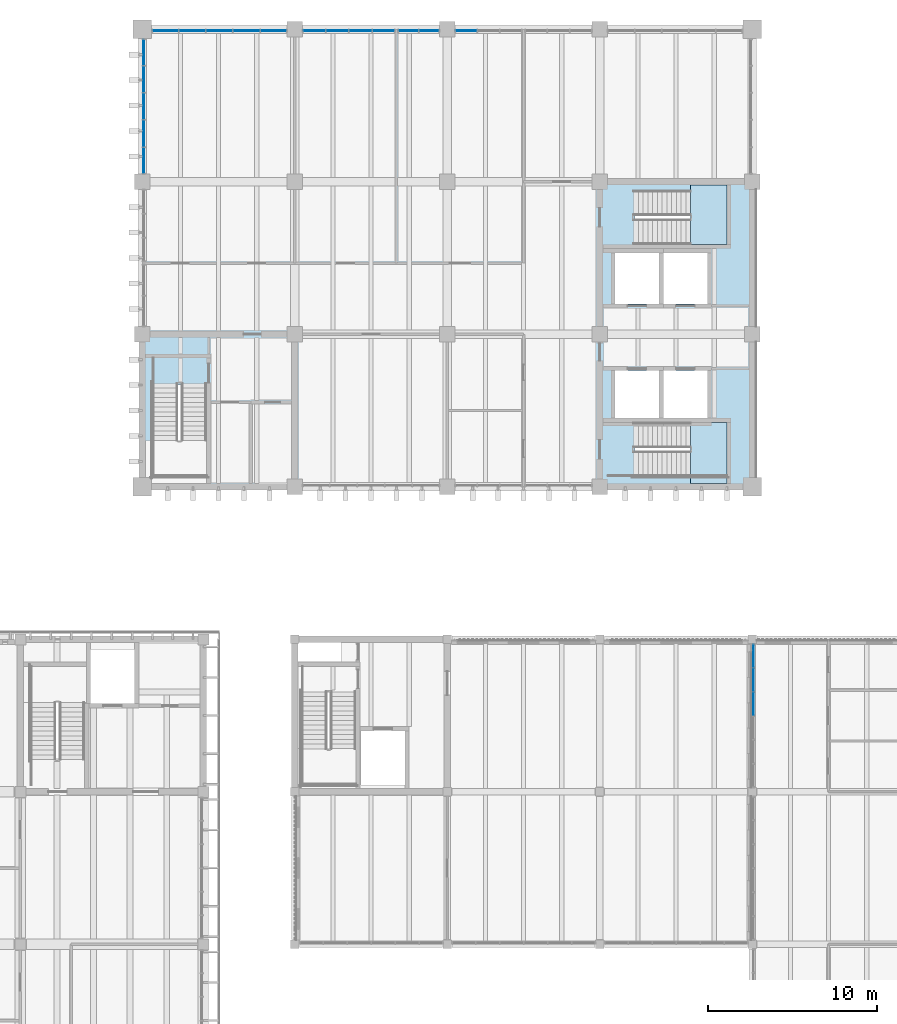
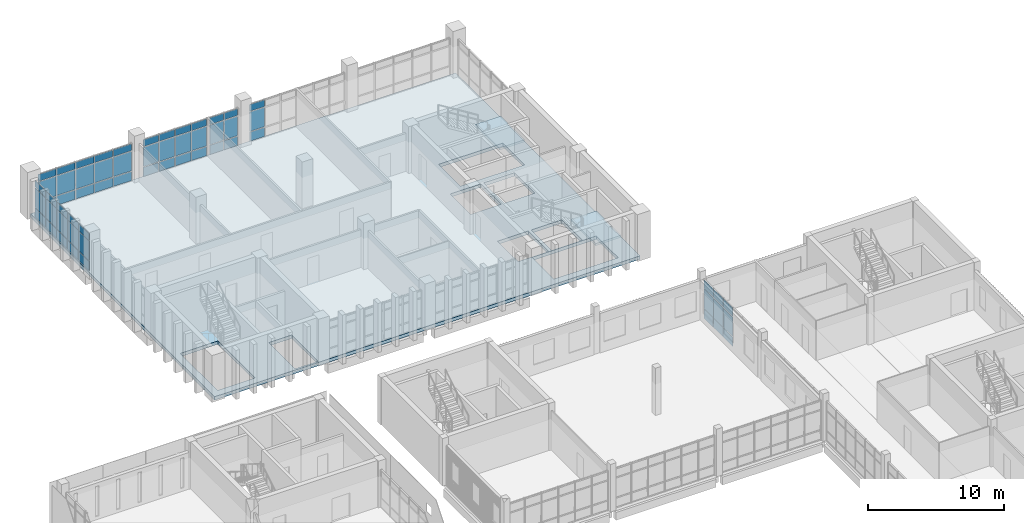
# One storey, part 45 of 92: 60 plates, 3 slabs, 8 elements without a shape of their own.
"""IFC4 building model written with IfcOpenShell, lengths in metres."""

from ifc_helpers import new_model, si_unit, direction, frame, origin, origin_2d, place, context, subcontext, project, spatial, polyline, rectangle, outline, extrude, material, layer, layer_set, type_object, element, aggregate, save


model = new_model("IFC4")

# Units and contexts
model_context = context("Model", 3, precision=1e-05, world=origin(), true_north=direction((0.0, 1.0)))
body_context = subcontext(model_context, "Body", "Model", "MODEL_VIEW")
ifc_project = project(units=[si_unit("LENGTHUNIT", "METRE"), si_unit("AREAUNIT", "SQUARE_METRE"), si_unit("VOLUMEUNIT", "CUBIC_METRE"), si_unit("PLANEANGLEUNIT", "RADIAN"), si_unit("MASSUNIT", "GRAM", prefix="KILO")], contexts=[model_context])

# Site, building, storey
site_placement = place(None, origin())
site = spatial("IfcSite", under=ifc_project, at=site_placement, CompositionType="ELEMENT")
building_placement = place(site_placement, origin())
building = spatial("IfcBuilding", under=site, at=building_placement, Name="Merrow Basin Faculty of Sciences", CompositionType="ELEMENT")
storey_placement = place(building_placement, frame((0.0, 0.0, 4.5)))
storey = spatial("IfcBuildingStorey", under=building, at=storey_placement, Name="L01", CompositionType="ELEMENT", Elevation=4.5)

# Slab
ifc_material_1 = material(Name="Concrete C40/50", Category="concrete")
ifc_layer_1 = layer(ifc_material_1, 0.300048828125)
ifc_layer_set_1 = layer_set([ifc_layer_1], Name="Floor slab 300 Concrete C40/50")
slab_type_1 = type_object("IfcSlabType", Name="Floor slab 300 Concrete C40/50", PredefinedType="FLOOR", material=ifc_layer_set_1)
slab_1_placement = place(storey_placement, frame((0.0, 0.0, -0.300048828125)))
element("IfcSlab", 1, at=slab_1_placement, inside=storey, type_object=slab_type_1, Name="SL11 floor L01 001", PredefinedType="FLOOR", context=body_context, shape_type="SweptSolid", body=[
    extrude(outline(polyline([(54.0, 169.0), (54.0, 142.0), (18.0, 142.0), (18.0, 169.0), (54.0, 169.0)]), holes=[polyline([(52.5, 142.60009765625), (52.5, 145.800048828125), (47.050048828125, 145.800048828125), (47.050048828125, 142.60009765625), (52.5, 142.60009765625)]), polyline([(52.5, 156.300048828125), (52.5, 159.5), (47.050048828125, 159.5), (47.050048828125, 156.300048828125), (52.5, 156.300048828125)]), polyline([(51.35009765625, 145.85009765625), (51.35009765625, 148.85009765625), (48.75, 148.85009765625), (48.75, 145.85009765625), (51.35009765625, 145.85009765625)]), polyline([(51.35009765625, 152.800048828125), (51.35009765625, 155.800048828125), (48.75, 155.800048828125), (48.75, 152.800048828125), (51.35009765625, 152.800048828125)]), polyline([(48.5, 145.85009765625), (48.5, 148.85009765625), (45.89990234375, 148.85009765625), (45.89990234375, 145.85009765625), (48.5, 145.85009765625)]), polyline([(48.5, 152.800048828125), (48.5, 155.800048828125), (45.89990234375, 155.800048828125), (45.89990234375, 152.800048828125), (48.5, 152.800048828125)]), polyline([(26.85009765625, 142.14990234375), (26.85009765625, 146.0), (24.90087890625, 146.0), (24.90087890625, 142.14990234375), (26.85009765625, 142.14990234375)]), polyline([(21.800048828125, 142.60009765625), (21.800048828125, 148.050048828125), (18.60009765625, 148.050048828125), (18.60009765625, 142.60009765625), (21.800048828125, 142.60009765625)])]), origin(), (0.0, 0.0, 1.0), 0.300048828125),
])

# Curtain wall, plates
ifc_material_2 = material(Name="Aluminium alloy 6063", Category="aluminium")
curtain_wall_type_1 = type_object("IfcCurtainWallType", Name="Court curtain wall 140", PredefinedType="NOTDEFINED", material=ifc_material_2)
curtain_wall_1_placement = place(storey_placement, origin())
curtain_wall_1 = element("IfcCurtainWall", 2, at=curtain_wall_1_placement, inside=storey, type_object=curtain_wall_type_1, Name="Court curtain wall L01 8", PredefinedType="NOTDEFINED")
ifc_material_3 = material(Name="Insulated aluminium spandrel panel", Category="aluminium")
ifc_layer_2 = layer(ifc_material_3, 0.052001953125)
ifc_layer_set_2 = layer_set([ifc_layer_2], Name="Insulated spandrel panel 52")
plate_type_1 = type_object("IfcPlateType", Name="Insulated spandrel panel 52", PredefinedType="CURTAIN_PANEL", material=ifc_layer_set_2)
plate_1_placement = place(storey_placement, frame((54.070068359375, 129.208251953125, 0.06005859375), z_axis=(0.0, 0.0, 1.0), x_axis=(0.0, 1.0, 0.0)))
plate_1 = element("IfcPlate", 3, at=plate_1_placement, type_object=plate_type_1, Name="CW8 panel 4.1", PredefinedType="CURTAIN_PANEL", context=body_context, shape_type="SweptSolid", body=[
    extrude(rectangle(XDim=1.356689453125, YDim=0.052001953125, at=origin_2d()), origin(), (0.0, 0.0, 1.0), 0.81005859375),
])
plate_2_placement = place(storey_placement, frame((54.070068359375, 130.625, 0.06005859375), z_axis=(0.0, 0.0, 1.0), x_axis=(0.0, 1.0, 0.0)))
plate_2 = element("IfcPlate", 4, at=plate_2_placement, type_object=plate_type_1, Name="CW8 panel 5.1", PredefinedType="CURTAIN_PANEL", context=body_context, shape_type="SweptSolid", body=[
    extrude(rectangle(XDim=1.356689453125, YDim=0.052001953125, at=origin_2d()), origin(), (0.0, 0.0, 1.0), 0.81005859375),
])
plate_3_placement = place(storey_placement, frame((54.070068359375, 132.026611328125, 0.06005859375), z_axis=(0.0, 0.0, 1.0), x_axis=(0.0, 1.0, 0.0)))
plate_3 = element("IfcPlate", 5, at=plate_3_placement, type_object=plate_type_1, Name="CW8 panel 6.1", PredefinedType="CURTAIN_PANEL", context=body_context, shape_type="SweptSolid", body=[
    extrude(rectangle(XDim=1.32666015625, YDim=0.052001953125, at=origin_2d()), origin(), (0.0, 0.0, 1.0), 0.81005859375),
])

ifc_material_4 = material(Name="Aluminium alloy 6063", Category="aluminium")
curtain_wall_type_2 = type_object("IfcCurtainWallType", Name="Unitised curtain wall 160", PredefinedType="NOTDEFINED", material=ifc_material_4)
curtain_wall_2_placement = place(storey_placement, origin())
curtain_wall_2 = element("IfcCurtainWall", 6, at=curtain_wall_2_placement, inside=storey, type_object=curtain_wall_type_2, Name="W curtain wall L01 3", PredefinedType="NOTDEFINED")
plate_4_placement = place(storey_placement, frame((18.080078125, 161.264892578125, 0.06005859375), z_axis=(0.0, 0.0, 1.0), x_axis=(0.0, 1.0, 0.0)))
plate_4 = element("IfcPlate", 7, at=plate_4_placement, type_object=plate_type_1, Name="CW3 panel 1.1", PredefinedType="CURTAIN_PANEL", context=body_context, shape_type="SweptSolid", body=[
    extrude(rectangle(XDim=1.510009765625, YDim=0.052001953125, at=origin_2d()), origin(), (0.0, 0.0, 1.0), 0.81005859375),
])
plate_5_placement = place(storey_placement, frame((18.080078125, 162.85009765625, 0.06005859375), z_axis=(0.0, 0.0, 1.0), x_axis=(0.0, 1.0, 0.0)))
plate_5 = element("IfcPlate", 8, at=plate_5_placement, type_object=plate_type_1, Name="CW3 panel 2.1", PredefinedType="CURTAIN_PANEL", context=body_context, shape_type="SweptSolid", body=[
    extrude(rectangle(XDim=1.5400390625, YDim=0.052001953125, at=origin_2d()), origin(), (0.0, 0.0, 1.0), 0.81005859375),
])
plate_6_placement = place(storey_placement, frame((18.080078125, 164.449951171875, 0.06005859375), z_axis=(0.0, 0.0, 1.0), x_axis=(0.0, 1.0, 0.0)))
plate_6 = element("IfcPlate", 9, at=plate_6_placement, type_object=plate_type_1, Name="CW3 panel 3.1", PredefinedType="CURTAIN_PANEL", context=body_context, shape_type="SweptSolid", body=[
    extrude(rectangle(XDim=1.5400390625, YDim=0.052001953125, at=origin_2d()), origin(), (0.0, 0.0, 1.0), 0.81005859375),
])
plate_7_placement = place(storey_placement, frame((18.080078125, 166.050048828125, 0.06005859375), z_axis=(0.0, 0.0, 1.0), x_axis=(0.0, 1.0, 0.0)))
plate_7 = element("IfcPlate", 10, at=plate_7_placement, type_object=plate_type_1, Name="CW3 panel 4.1", PredefinedType="CURTAIN_PANEL", context=body_context, shape_type="SweptSolid", body=[
    extrude(rectangle(XDim=1.5400390625, YDim=0.052001953125, at=origin_2d()), origin(), (0.0, 0.0, 1.0), 0.81005859375),
])
plate_8_placement = place(storey_placement, frame((18.080078125, 167.635009765625, 0.06005859375), z_axis=(0.0, 0.0, 1.0), x_axis=(0.0, 1.0, 0.0)))
plate_8 = element("IfcPlate", 11, at=plate_8_placement, type_object=plate_type_1, Name="CW3 panel 5.1", PredefinedType="CURTAIN_PANEL", context=body_context, shape_type="SweptSolid", body=[
    extrude(rectangle(XDim=1.510009765625, YDim=0.052001953125, at=origin_2d()), origin(), (0.0, 0.0, 1.0), 0.81005859375),
])

curtain_wall_3_placement = place(storey_placement, origin())
curtain_wall_3 = element("IfcCurtainWall", 12, at=curtain_wall_3_placement, inside=storey, type_object=curtain_wall_type_2, Name="N curtain wall L01 1", PredefinedType="NOTDEFINED")
plate_9_placement = place(storey_placement, frame((19.364990234375, 168.919921875, 0.06005859375), z_axis=(0.0, 0.0, 1.0), x_axis=(1.0, 0.0, 0.0)))
plate_9 = element("IfcPlate", 13, at=plate_9_placement, type_object=plate_type_1, Name="CW3 panel 1.1", PredefinedType="CURTAIN_PANEL", context=body_context, shape_type="SweptSolid", body=[
    extrude(rectangle(XDim=1.510009765625, YDim=0.052001953125, at=origin_2d()), origin(), (0.0, 0.0, 1.0), 0.81005859375),
])
plate_10_placement = place(storey_placement, frame((20.949951171875, 168.919921875, 0.06005859375), z_axis=(0.0, 0.0, 1.0), x_axis=(1.0, 0.0, 0.0)))
plate_10 = element("IfcPlate", 14, at=plate_10_placement, type_object=plate_type_1, Name="CW3 panel 2.1", PredefinedType="CURTAIN_PANEL", context=body_context, shape_type="SweptSolid", body=[
    extrude(rectangle(XDim=1.5400390625, YDim=0.052001953125, at=origin_2d()), origin(), (0.0, 0.0, 1.0), 0.81005859375),
])
plate_11_placement = place(storey_placement, frame((22.550048828125, 168.919921875, 0.06005859375), z_axis=(0.0, 0.0, 1.0), x_axis=(1.0, 0.0, 0.0)))
plate_11 = element("IfcPlate", 15, at=plate_11_placement, type_object=plate_type_1, Name="CW3 panel 3.1", PredefinedType="CURTAIN_PANEL", context=body_context, shape_type="SweptSolid", body=[
    extrude(rectangle(XDim=1.5400390625, YDim=0.052001953125, at=origin_2d()), origin(), (0.0, 0.0, 1.0), 0.81005859375),
])
plate_12_placement = place(storey_placement, frame((24.14990234375, 168.919921875, 0.06005859375), z_axis=(0.0, 0.0, 1.0), x_axis=(1.0, 0.0, 0.0)))
plate_12 = element("IfcPlate", 16, at=plate_12_placement, type_object=plate_type_1, Name="CW3 panel 4.1", PredefinedType="CURTAIN_PANEL", context=body_context, shape_type="SweptSolid", body=[
    extrude(rectangle(XDim=1.5400390625, YDim=0.052001953125, at=origin_2d()), origin(), (0.0, 0.0, 1.0), 0.81005859375),
])
plate_13_placement = place(storey_placement, frame((25.735107421875, 168.919921875, 0.06005859375), z_axis=(0.0, 0.0, 1.0), x_axis=(1.0, 0.0, 0.0)))
plate_13 = element("IfcPlate", 17, at=plate_13_placement, type_object=plate_type_1, Name="CW3 panel 5.1", PredefinedType="CURTAIN_PANEL", context=body_context, shape_type="SweptSolid", body=[
    extrude(rectangle(XDim=1.510009765625, YDim=0.052001953125, at=origin_2d()), origin(), (0.0, 0.0, 1.0), 0.81005859375),
])

curtain_wall_4_placement = place(storey_placement, origin())
curtain_wall_4 = element("IfcCurtainWall", 18, at=curtain_wall_4_placement, inside=storey, type_object=curtain_wall_type_2, Name="N curtain wall L01 2", PredefinedType="NOTDEFINED")
plate_14_placement = place(storey_placement, frame((28.1494140625, 168.919921875, 0.06005859375), z_axis=(0.0, 0.0, 1.0), x_axis=(1.0, 0.0, 0.0)))
plate_14 = element("IfcPlate", 19, at=plate_14_placement, type_object=plate_type_1, Name="CW3 panel 1.1", PredefinedType="CURTAIN_PANEL", context=body_context, shape_type="SweptSolid", body=[
    extrude(rectangle(XDim=1.27880859375, YDim=0.052001953125, at=origin_2d()), origin(), (0.0, 0.0, 1.0), 0.81005859375),
])
plate_15_placement = place(storey_placement, frame((29.503173828125, 168.919921875, 0.06005859375), z_axis=(0.0, 0.0, 1.0), x_axis=(1.0, 0.0, 0.0)))
plate_15 = element("IfcPlate", 20, at=plate_15_placement, type_object=plate_type_1, Name="CW3 panel 2.1", PredefinedType="CURTAIN_PANEL", context=body_context, shape_type="SweptSolid", body=[
    extrude(rectangle(XDim=1.308837890625, YDim=0.052001953125, at=origin_2d()), origin(), (0.0, 0.0, 1.0), 0.81005859375),
])
plate_16_placement = place(storey_placement, frame((30.871826171875, 168.919921875, 0.06005859375), z_axis=(0.0, 0.0, 1.0), x_axis=(1.0, 0.0, 0.0)))
plate_16 = element("IfcPlate", 21, at=plate_16_placement, type_object=plate_type_1, Name="CW3 panel 3.1", PredefinedType="CURTAIN_PANEL", context=body_context, shape_type="SweptSolid", body=[
    extrude(rectangle(XDim=1.308837890625, YDim=0.052001953125, at=origin_2d()), origin(), (0.0, 0.0, 1.0), 0.81005859375),
])
plate_17_placement = place(storey_placement, frame((32.2255859375, 168.919921875, 0.06005859375), z_axis=(0.0, 0.0, 1.0), x_axis=(1.0, 0.0, 0.0)))
plate_17 = element("IfcPlate", 22, at=plate_17_placement, type_object=plate_type_1, Name="CW3 panel 4.1", PredefinedType="CURTAIN_PANEL", context=body_context, shape_type="SweptSolid", body=[
    extrude(rectangle(XDim=1.27880859375, YDim=0.052001953125, at=origin_2d()), origin(), (0.0, 0.0, 1.0), 0.81005859375),
])

curtain_wall_5_placement = place(storey_placement, origin())
curtain_wall_5 = element("IfcCurtainWall", 23, at=curtain_wall_5_placement, inside=storey, type_object=curtain_wall_type_2, Name="N curtain wall L01 3", PredefinedType="NOTDEFINED")
plate_18_placement = place(storey_placement, frame((33.708740234375, 168.919921875, 0.06005859375), z_axis=(0.0, 0.0, 1.0), x_axis=(1.0, 0.0, 0.0)))
plate_18 = element("IfcPlate", 24, at=plate_18_placement, type_object=plate_type_1, Name="CW3 panel 1.1", PredefinedType="CURTAIN_PANEL", context=body_context, shape_type="SweptSolid", body=[
    extrude(rectangle(XDim=1.1474609375, YDim=0.052001953125, at=origin_2d()), origin(), (0.0, 0.0, 1.0), 0.81005859375),
])
plate_19_placement = place(storey_placement, frame((34.916259765625, 168.919921875, 0.06005859375), z_axis=(0.0, 0.0, 1.0), x_axis=(1.0, 0.0, 0.0)))
plate_19 = element("IfcPlate", 25, at=plate_19_placement, type_object=plate_type_1, Name="CW3 panel 2.1", PredefinedType="CURTAIN_PANEL", context=body_context, shape_type="SweptSolid", body=[
    extrude(rectangle(XDim=1.1474609375, YDim=0.052001953125, at=origin_2d()), origin(), (0.0, 0.0, 1.0), 0.81005859375),
])

# Curtain wall, plate
curtain_wall_6_placement = place(storey_placement, origin())
curtain_wall_6 = element("IfcCurtainWall", 26, at=curtain_wall_6_placement, inside=storey, type_object=curtain_wall_type_2, Name="N curtain wall L01 4", PredefinedType="NOTDEFINED")
plate_20_placement = place(storey_placement, frame((37.12744140625, 168.919921875, 0.06005859375), z_axis=(0.0, 0.0, 1.0), x_axis=(1.0, 0.0, 0.0)))
plate_20 = element("IfcPlate", 27, at=plate_20_placement, type_object=plate_type_1, Name="CW3 panel 1.1", PredefinedType="CURTAIN_PANEL", context=body_context, shape_type="SweptSolid", body=[
    extrude(rectangle(XDim=1.235107421875, YDim=0.052001953125, at=origin_2d()), origin(), (0.0, 0.0, 1.0), 0.81005859375),
])

# Plate
ifc_material_5 = material(Name="Low-E double glazing", Category="glass")
ifc_layer_3 = layer(ifc_material_5, 0.028076171875)
ifc_layer_set_3 = layer_set([ifc_layer_3], Name="Low-E double glazed panel 28")
plate_type_2 = type_object("IfcPlateType", Name="Low-E double glazed panel 28", PredefinedType="CURTAIN_PANEL", material=ifc_layer_set_3)
plate_21_placement = place(storey_placement, frame((54.070068359375, 129.208251953125, 0.93017578125), z_axis=(0.0, 0.0, 1.0), x_axis=(0.0, 1.0, 0.0)))
plate_21 = element("IfcPlate", 28, at=plate_21_placement, type_object=plate_type_2, Name="CW8 panel 4.2", PredefinedType="CURTAIN_PANEL", context=body_context, shape_type="SweptSolid", body=[
    extrude(rectangle(XDim=1.356689453125, YDim=0.028076171875, at=origin_2d()), origin(), (0.0, 0.0, 1.0), 1.739990234375),
])

plate_22_placement = place(storey_placement, frame((54.070068359375, 129.208251953125, 2.72998046875), z_axis=(0.0, 0.0, 1.0), x_axis=(0.0, 1.0, 0.0)))
plate_22 = element("IfcPlate", 29, at=plate_22_placement, type_object=plate_type_2, Name="CW8 panel 4.3", PredefinedType="CURTAIN_PANEL", context=body_context, shape_type="SweptSolid", body=[
    extrude(rectangle(XDim=1.356689453125, YDim=0.028076171875, at=origin_2d()), origin(), (0.0, 0.0, 1.0), 0.760009765625),
])

plate_23_placement = place(storey_placement, frame((54.070068359375, 130.625, 0.93017578125), z_axis=(0.0, 0.0, 1.0), x_axis=(0.0, 1.0, 0.0)))
plate_23 = element("IfcPlate", 30, at=plate_23_placement, type_object=plate_type_2, Name="CW8 panel 5.2", PredefinedType="CURTAIN_PANEL", context=body_context, shape_type="SweptSolid", body=[
    extrude(rectangle(XDim=1.356689453125, YDim=0.028076171875, at=origin_2d()), origin(), (0.0, 0.0, 1.0), 1.739990234375),
])

plate_24_placement = place(storey_placement, frame((54.070068359375, 130.625, 2.72998046875), z_axis=(0.0, 0.0, 1.0), x_axis=(0.0, 1.0, 0.0)))
plate_24 = element("IfcPlate", 31, at=plate_24_placement, type_object=plate_type_2, Name="CW8 panel 5.3", PredefinedType="CURTAIN_PANEL", context=body_context, shape_type="SweptSolid", body=[
    extrude(rectangle(XDim=1.356689453125, YDim=0.028076171875, at=origin_2d()), origin(), (0.0, 0.0, 1.0), 0.760009765625),
])

plate_25_placement = place(storey_placement, frame((54.070068359375, 132.026611328125, 0.93017578125), z_axis=(0.0, 0.0, 1.0), x_axis=(0.0, 1.0, 0.0)))
plate_25 = element("IfcPlate", 32, at=plate_25_placement, type_object=plate_type_2, Name="CW8 panel 6.2", PredefinedType="CURTAIN_PANEL", context=body_context, shape_type="SweptSolid", body=[
    extrude(rectangle(XDim=1.32666015625, YDim=0.028076171875, at=origin_2d()), origin(), (0.0, 0.0, 1.0), 1.739990234375),
])

plate_26_placement = place(storey_placement, frame((54.070068359375, 132.026611328125, 2.72998046875), z_axis=(0.0, 0.0, 1.0), x_axis=(0.0, 1.0, 0.0)))
plate_26 = element("IfcPlate", 33, at=plate_26_placement, type_object=plate_type_2, Name="CW8 panel 6.3", PredefinedType="CURTAIN_PANEL", context=body_context, shape_type="SweptSolid", body=[
    extrude(rectangle(XDim=1.32666015625, YDim=0.028076171875, at=origin_2d()), origin(), (0.0, 0.0, 1.0), 0.760009765625),
])

aggregate(curtain_wall_1, [plate_1, plate_21, plate_22, plate_2, plate_23, plate_24, plate_3, plate_25, plate_26])

plate_27_placement = place(storey_placement, frame((18.080078125, 161.264892578125, 0.93017578125), z_axis=(0.0, 0.0, 1.0), x_axis=(0.0, 1.0, 0.0)))
plate_27 = element("IfcPlate", 34, at=plate_27_placement, type_object=plate_type_2, Name="CW3 panel 1.2", PredefinedType="CURTAIN_PANEL", context=body_context, shape_type="SweptSolid", body=[
    extrude(rectangle(XDim=1.510009765625, YDim=0.028076171875, at=origin_2d()), origin(), (0.0, 0.0, 1.0), 1.739990234375),
])

plate_28_placement = place(storey_placement, frame((18.080078125, 161.264892578125, 2.72998046875), z_axis=(0.0, 0.0, 1.0), x_axis=(0.0, 1.0, 0.0)))
plate_28 = element("IfcPlate", 35, at=plate_28_placement, type_object=plate_type_2, Name="CW3 panel 1.3", PredefinedType="CURTAIN_PANEL", context=body_context, shape_type="SweptSolid", body=[
    extrude(rectangle(XDim=1.510009765625, YDim=0.028076171875, at=origin_2d()), origin(), (0.0, 0.0, 1.0), 0.610107421875),
])

plate_29_placement = place(storey_placement, frame((18.080078125, 162.85009765625, 0.93017578125), z_axis=(0.0, 0.0, 1.0), x_axis=(0.0, 1.0, 0.0)))
plate_29 = element("IfcPlate", 36, at=plate_29_placement, type_object=plate_type_2, Name="CW3 panel 2.2", PredefinedType="CURTAIN_PANEL", context=body_context, shape_type="SweptSolid", body=[
    extrude(rectangle(XDim=1.5400390625, YDim=0.028076171875, at=origin_2d()), origin(), (0.0, 0.0, 1.0), 1.739990234375),
])

plate_30_placement = place(storey_placement, frame((18.080078125, 162.85009765625, 2.72998046875), z_axis=(0.0, 0.0, 1.0), x_axis=(0.0, 1.0, 0.0)))
plate_30 = element("IfcPlate", 37, at=plate_30_placement, type_object=plate_type_2, Name="CW3 panel 2.3", PredefinedType="CURTAIN_PANEL", context=body_context, shape_type="SweptSolid", body=[
    extrude(rectangle(XDim=1.5400390625, YDim=0.028076171875, at=origin_2d()), origin(), (0.0, 0.0, 1.0), 0.610107421875),
])

plate_31_placement = place(storey_placement, frame((18.080078125, 164.449951171875, 0.93017578125), z_axis=(0.0, 0.0, 1.0), x_axis=(0.0, 1.0, 0.0)))
plate_31 = element("IfcPlate", 38, at=plate_31_placement, type_object=plate_type_2, Name="CW3 panel 3.2", PredefinedType="CURTAIN_PANEL", context=body_context, shape_type="SweptSolid", body=[
    extrude(rectangle(XDim=1.5400390625, YDim=0.028076171875, at=origin_2d()), origin(), (0.0, 0.0, 1.0), 1.739990234375),
])

plate_32_placement = place(storey_placement, frame((18.080078125, 164.449951171875, 2.72998046875), z_axis=(0.0, 0.0, 1.0), x_axis=(0.0, 1.0, 0.0)))
plate_32 = element("IfcPlate", 39, at=plate_32_placement, type_object=plate_type_2, Name="CW3 panel 3.3", PredefinedType="CURTAIN_PANEL", context=body_context, shape_type="SweptSolid", body=[
    extrude(rectangle(XDim=1.5400390625, YDim=0.028076171875, at=origin_2d()), origin(), (0.0, 0.0, 1.0), 0.610107421875),
])

plate_33_placement = place(storey_placement, frame((18.080078125, 166.050048828125, 0.93017578125), z_axis=(0.0, 0.0, 1.0), x_axis=(0.0, 1.0, 0.0)))
plate_33 = element("IfcPlate", 40, at=plate_33_placement, type_object=plate_type_2, Name="CW3 panel 4.2", PredefinedType="CURTAIN_PANEL", context=body_context, shape_type="SweptSolid", body=[
    extrude(rectangle(XDim=1.5400390625, YDim=0.028076171875, at=origin_2d()), origin(), (0.0, 0.0, 1.0), 1.739990234375),
])

plate_34_placement = place(storey_placement, frame((18.080078125, 166.050048828125, 2.72998046875), z_axis=(0.0, 0.0, 1.0), x_axis=(0.0, 1.0, 0.0)))
plate_34 = element("IfcPlate", 41, at=plate_34_placement, type_object=plate_type_2, Name="CW3 panel 4.3", PredefinedType="CURTAIN_PANEL", context=body_context, shape_type="SweptSolid", body=[
    extrude(rectangle(XDim=1.5400390625, YDim=0.028076171875, at=origin_2d()), origin(), (0.0, 0.0, 1.0), 0.610107421875),
])

plate_35_placement = place(storey_placement, frame((18.080078125, 167.635009765625, 0.93017578125), z_axis=(0.0, 0.0, 1.0), x_axis=(0.0, 1.0, 0.0)))
plate_35 = element("IfcPlate", 42, at=plate_35_placement, type_object=plate_type_2, Name="CW3 panel 5.2", PredefinedType="CURTAIN_PANEL", context=body_context, shape_type="SweptSolid", body=[
    extrude(rectangle(XDim=1.510009765625, YDim=0.028076171875, at=origin_2d()), origin(), (0.0, 0.0, 1.0), 1.739990234375),
])

plate_36_placement = place(storey_placement, frame((18.080078125, 167.635009765625, 2.72998046875), z_axis=(0.0, 0.0, 1.0), x_axis=(0.0, 1.0, 0.0)))
plate_36 = element("IfcPlate", 43, at=plate_36_placement, type_object=plate_type_2, Name="CW3 panel 5.3", PredefinedType="CURTAIN_PANEL", context=body_context, shape_type="SweptSolid", body=[
    extrude(rectangle(XDim=1.510009765625, YDim=0.028076171875, at=origin_2d()), origin(), (0.0, 0.0, 1.0), 0.610107421875),
])

aggregate(curtain_wall_2, [plate_4, plate_27, plate_28, plate_5, plate_29, plate_30, plate_6, plate_31, plate_32, plate_7, plate_33, plate_34, plate_8, plate_35, plate_36])

plate_37_placement = place(storey_placement, frame((19.364990234375, 168.919921875, 0.93017578125), z_axis=(0.0, 0.0, 1.0), x_axis=(1.0, 0.0, 0.0)))
plate_37 = element("IfcPlate", 44, at=plate_37_placement, type_object=plate_type_2, Name="CW3 panel 1.2", PredefinedType="CURTAIN_PANEL", context=body_context, shape_type="SweptSolid", body=[
    extrude(rectangle(XDim=1.510009765625, YDim=0.028076171875, at=origin_2d()), origin(), (0.0, 0.0, 1.0), 1.739990234375),
])

plate_38_placement = place(storey_placement, frame((19.364990234375, 168.919921875, 2.72998046875), z_axis=(0.0, 0.0, 1.0), x_axis=(1.0, 0.0, 0.0)))
plate_38 = element("IfcPlate", 45, at=plate_38_placement, type_object=plate_type_2, Name="CW3 panel 1.3", PredefinedType="CURTAIN_PANEL", context=body_context, shape_type="SweptSolid", body=[
    extrude(rectangle(XDim=1.510009765625, YDim=0.028076171875, at=origin_2d()), origin(), (0.0, 0.0, 1.0), 0.610107421875),
])

plate_39_placement = place(storey_placement, frame((20.949951171875, 168.919921875, 0.93017578125), z_axis=(0.0, 0.0, 1.0), x_axis=(1.0, 0.0, 0.0)))
plate_39 = element("IfcPlate", 46, at=plate_39_placement, type_object=plate_type_2, Name="CW3 panel 2.2", PredefinedType="CURTAIN_PANEL", context=body_context, shape_type="SweptSolid", body=[
    extrude(rectangle(XDim=1.5400390625, YDim=0.028076171875, at=origin_2d()), origin(), (0.0, 0.0, 1.0), 1.739990234375),
])

plate_40_placement = place(storey_placement, frame((20.949951171875, 168.919921875, 2.72998046875), z_axis=(0.0, 0.0, 1.0), x_axis=(1.0, 0.0, 0.0)))
plate_40 = element("IfcPlate", 47, at=plate_40_placement, type_object=plate_type_2, Name="CW3 panel 2.3", PredefinedType="CURTAIN_PANEL", context=body_context, shape_type="SweptSolid", body=[
    extrude(rectangle(XDim=1.5400390625, YDim=0.028076171875, at=origin_2d()), origin(), (0.0, 0.0, 1.0), 0.610107421875),
])

plate_41_placement = place(storey_placement, frame((22.550048828125, 168.919921875, 0.93017578125), z_axis=(0.0, 0.0, 1.0), x_axis=(1.0, 0.0, 0.0)))
plate_41 = element("IfcPlate", 48, at=plate_41_placement, type_object=plate_type_2, Name="CW3 panel 3.2", PredefinedType="CURTAIN_PANEL", context=body_context, shape_type="SweptSolid", body=[
    extrude(rectangle(XDim=1.5400390625, YDim=0.028076171875, at=origin_2d()), origin(), (0.0, 0.0, 1.0), 1.739990234375),
])

plate_42_placement = place(storey_placement, frame((22.550048828125, 168.919921875, 2.72998046875), z_axis=(0.0, 0.0, 1.0), x_axis=(1.0, 0.0, 0.0)))
plate_42 = element("IfcPlate", 49, at=plate_42_placement, type_object=plate_type_2, Name="CW3 panel 3.3", PredefinedType="CURTAIN_PANEL", context=body_context, shape_type="SweptSolid", body=[
    extrude(rectangle(XDim=1.5400390625, YDim=0.028076171875, at=origin_2d()), origin(), (0.0, 0.0, 1.0), 0.610107421875),
])

plate_43_placement = place(storey_placement, frame((24.14990234375, 168.919921875, 0.93017578125), z_axis=(0.0, 0.0, 1.0), x_axis=(1.0, 0.0, 0.0)))
plate_43 = element("IfcPlate", 50, at=plate_43_placement, type_object=plate_type_2, Name="CW3 panel 4.2", PredefinedType="CURTAIN_PANEL", context=body_context, shape_type="SweptSolid", body=[
    extrude(rectangle(XDim=1.5400390625, YDim=0.028076171875, at=origin_2d()), origin(), (0.0, 0.0, 1.0), 1.739990234375),
])

plate_44_placement = place(storey_placement, frame((24.14990234375, 168.919921875, 2.72998046875), z_axis=(0.0, 0.0, 1.0), x_axis=(1.0, 0.0, 0.0)))
plate_44 = element("IfcPlate", 51, at=plate_44_placement, type_object=plate_type_2, Name="CW3 panel 4.3", PredefinedType="CURTAIN_PANEL", context=body_context, shape_type="SweptSolid", body=[
    extrude(rectangle(XDim=1.5400390625, YDim=0.028076171875, at=origin_2d()), origin(), (0.0, 0.0, 1.0), 0.610107421875),
])

plate_45_placement = place(storey_placement, frame((25.735107421875, 168.919921875, 0.93017578125), z_axis=(0.0, 0.0, 1.0), x_axis=(1.0, 0.0, 0.0)))
plate_45 = element("IfcPlate", 52, at=plate_45_placement, type_object=plate_type_2, Name="CW3 panel 5.2", PredefinedType="CURTAIN_PANEL", context=body_context, shape_type="SweptSolid", body=[
    extrude(rectangle(XDim=1.510009765625, YDim=0.028076171875, at=origin_2d()), origin(), (0.0, 0.0, 1.0), 1.739990234375),
])

plate_46_placement = place(storey_placement, frame((25.735107421875, 168.919921875, 2.72998046875), z_axis=(0.0, 0.0, 1.0), x_axis=(1.0, 0.0, 0.0)))
plate_46 = element("IfcPlate", 53, at=plate_46_placement, type_object=plate_type_2, Name="CW3 panel 5.3", PredefinedType="CURTAIN_PANEL", context=body_context, shape_type="SweptSolid", body=[
    extrude(rectangle(XDim=1.510009765625, YDim=0.028076171875, at=origin_2d()), origin(), (0.0, 0.0, 1.0), 0.610107421875),
])

aggregate(curtain_wall_3, [plate_9, plate_37, plate_38, plate_10, plate_39, plate_40, plate_11, plate_41, plate_42, plate_12, plate_43, plate_44, plate_13, plate_45, plate_46])

plate_47_placement = place(storey_placement, frame((28.1494140625, 168.919921875, 0.93017578125), z_axis=(0.0, 0.0, 1.0), x_axis=(1.0, 0.0, 0.0)))
plate_47 = element("IfcPlate", 54, at=plate_47_placement, type_object=plate_type_2, Name="CW3 panel 1.2", PredefinedType="CURTAIN_PANEL", context=body_context, shape_type="SweptSolid", body=[
    extrude(rectangle(XDim=1.27880859375, YDim=0.028076171875, at=origin_2d()), origin(), (0.0, 0.0, 1.0), 1.739990234375),
])

plate_48_placement = place(storey_placement, frame((28.1494140625, 168.919921875, 2.72998046875), z_axis=(0.0, 0.0, 1.0), x_axis=(1.0, 0.0, 0.0)))
plate_48 = element("IfcPlate", 55, at=plate_48_placement, type_object=plate_type_2, Name="CW3 panel 1.3", PredefinedType="CURTAIN_PANEL", context=body_context, shape_type="SweptSolid", body=[
    extrude(rectangle(XDim=1.27880859375, YDim=0.028076171875, at=origin_2d()), origin(), (0.0, 0.0, 1.0), 0.610107421875),
])

plate_49_placement = place(storey_placement, frame((29.503173828125, 168.919921875, 0.93017578125), z_axis=(0.0, 0.0, 1.0), x_axis=(1.0, 0.0, 0.0)))
plate_49 = element("IfcPlate", 56, at=plate_49_placement, type_object=plate_type_2, Name="CW3 panel 2.2", PredefinedType="CURTAIN_PANEL", context=body_context, shape_type="SweptSolid", body=[
    extrude(rectangle(XDim=1.308837890625, YDim=0.028076171875, at=origin_2d()), origin(), (0.0, 0.0, 1.0), 1.739990234375),
])

plate_50_placement = place(storey_placement, frame((29.503173828125, 168.919921875, 2.72998046875), z_axis=(0.0, 0.0, 1.0), x_axis=(1.0, 0.0, 0.0)))
plate_50 = element("IfcPlate", 57, at=plate_50_placement, type_object=plate_type_2, Name="CW3 panel 2.3", PredefinedType="CURTAIN_PANEL", context=body_context, shape_type="SweptSolid", body=[
    extrude(rectangle(XDim=1.308837890625, YDim=0.028076171875, at=origin_2d()), origin(), (0.0, 0.0, 1.0), 0.610107421875),
])

plate_51_placement = place(storey_placement, frame((30.871826171875, 168.919921875, 0.93017578125), z_axis=(0.0, 0.0, 1.0), x_axis=(1.0, 0.0, 0.0)))
plate_51 = element("IfcPlate", 58, at=plate_51_placement, type_object=plate_type_2, Name="CW3 panel 3.2", PredefinedType="CURTAIN_PANEL", context=body_context, shape_type="SweptSolid", body=[
    extrude(rectangle(XDim=1.308837890625, YDim=0.028076171875, at=origin_2d()), origin(), (0.0, 0.0, 1.0), 1.739990234375),
])

plate_52_placement = place(storey_placement, frame((30.871826171875, 168.919921875, 2.72998046875), z_axis=(0.0, 0.0, 1.0), x_axis=(1.0, 0.0, 0.0)))
plate_52 = element("IfcPlate", 59, at=plate_52_placement, type_object=plate_type_2, Name="CW3 panel 3.3", PredefinedType="CURTAIN_PANEL", context=body_context, shape_type="SweptSolid", body=[
    extrude(rectangle(XDim=1.308837890625, YDim=0.028076171875, at=origin_2d()), origin(), (0.0, 0.0, 1.0), 0.610107421875),
])

plate_53_placement = place(storey_placement, frame((32.2255859375, 168.919921875, 0.93017578125), z_axis=(0.0, 0.0, 1.0), x_axis=(1.0, 0.0, 0.0)))
plate_53 = element("IfcPlate", 60, at=plate_53_placement, type_object=plate_type_2, Name="CW3 panel 4.2", PredefinedType="CURTAIN_PANEL", context=body_context, shape_type="SweptSolid", body=[
    extrude(rectangle(XDim=1.27880859375, YDim=0.028076171875, at=origin_2d()), origin(), (0.0, 0.0, 1.0), 1.739990234375),
])

plate_54_placement = place(storey_placement, frame((32.2255859375, 168.919921875, 2.72998046875), z_axis=(0.0, 0.0, 1.0), x_axis=(1.0, 0.0, 0.0)))
plate_54 = element("IfcPlate", 61, at=plate_54_placement, type_object=plate_type_2, Name="CW3 panel 4.3", PredefinedType="CURTAIN_PANEL", context=body_context, shape_type="SweptSolid", body=[
    extrude(rectangle(XDim=1.27880859375, YDim=0.028076171875, at=origin_2d()), origin(), (0.0, 0.0, 1.0), 0.610107421875),
])

aggregate(curtain_wall_4, [plate_14, plate_47, plate_48, plate_15, plate_49, plate_50, plate_16, plate_51, plate_52, plate_17, plate_53, plate_54])

plate_55_placement = place(storey_placement, frame((33.708740234375, 168.919921875, 0.93017578125), z_axis=(0.0, 0.0, 1.0), x_axis=(1.0, 0.0, 0.0)))
plate_55 = element("IfcPlate", 62, at=plate_55_placement, type_object=plate_type_2, Name="CW3 panel 1.2", PredefinedType="CURTAIN_PANEL", context=body_context, shape_type="SweptSolid", body=[
    extrude(rectangle(XDim=1.1474609375, YDim=0.028076171875, at=origin_2d()), origin(), (0.0, 0.0, 1.0), 1.739990234375),
])

plate_56_placement = place(storey_placement, frame((33.708740234375, 168.919921875, 2.72998046875), z_axis=(0.0, 0.0, 1.0), x_axis=(1.0, 0.0, 0.0)))
plate_56 = element("IfcPlate", 63, at=plate_56_placement, type_object=plate_type_2, Name="CW3 panel 1.3", PredefinedType="CURTAIN_PANEL", context=body_context, shape_type="SweptSolid", body=[
    extrude(rectangle(XDim=1.1474609375, YDim=0.028076171875, at=origin_2d()), origin(), (0.0, 0.0, 1.0), 0.610107421875),
])

plate_57_placement = place(storey_placement, frame((34.916259765625, 168.919921875, 0.93017578125), z_axis=(0.0, 0.0, 1.0), x_axis=(1.0, 0.0, 0.0)))
plate_57 = element("IfcPlate", 64, at=plate_57_placement, type_object=plate_type_2, Name="CW3 panel 2.2", PredefinedType="CURTAIN_PANEL", context=body_context, shape_type="SweptSolid", body=[
    extrude(rectangle(XDim=1.1474609375, YDim=0.028076171875, at=origin_2d()), origin(), (0.0, 0.0, 1.0), 1.739990234375),
])

plate_58_placement = place(storey_placement, frame((34.916259765625, 168.919921875, 2.72998046875), z_axis=(0.0, 0.0, 1.0), x_axis=(1.0, 0.0, 0.0)))
plate_58 = element("IfcPlate", 65, at=plate_58_placement, type_object=plate_type_2, Name="CW3 panel 2.3", PredefinedType="CURTAIN_PANEL", context=body_context, shape_type="SweptSolid", body=[
    extrude(rectangle(XDim=1.1474609375, YDim=0.028076171875, at=origin_2d()), origin(), (0.0, 0.0, 1.0), 0.610107421875),
])

aggregate(curtain_wall_5, [plate_18, plate_55, plate_56, plate_19, plate_57, plate_58])

plate_59_placement = place(storey_placement, frame((37.12744140625, 168.919921875, 0.93017578125), z_axis=(0.0, 0.0, 1.0), x_axis=(1.0, 0.0, 0.0)))
plate_59 = element("IfcPlate", 66, at=plate_59_placement, type_object=plate_type_2, Name="CW3 panel 1.2", PredefinedType="CURTAIN_PANEL", context=body_context, shape_type="SweptSolid", body=[
    extrude(rectangle(XDim=1.235107421875, YDim=0.028076171875, at=origin_2d()), origin(), (0.0, 0.0, 1.0), 1.739990234375),
])

plate_60_placement = place(storey_placement, frame((37.12744140625, 168.919921875, 2.72998046875), z_axis=(0.0, 0.0, 1.0), x_axis=(1.0, 0.0, 0.0)))
plate_60 = element("IfcPlate", 67, at=plate_60_placement, type_object=plate_type_2, Name="CW3 panel 1.3", PredefinedType="CURTAIN_PANEL", context=body_context, shape_type="SweptSolid", body=[
    extrude(rectangle(XDim=1.235107421875, YDim=0.028076171875, at=origin_2d()), origin(), (0.0, 0.0, 1.0), 0.610107421875),
])

aggregate(curtain_wall_6, [plate_20, plate_59, plate_60])

# Stair, slab
ifc_material_6 = material(Name="Concrete C40/50", Category="concrete")
stair_type = type_object("IfcStairType", Name="Concrete dog-leg stair Concrete C40/50", PredefinedType="HALF_TURN_STAIR", material=ifc_material_6)
stair_1_placement = place(storey_placement, origin())
stair_1 = element("IfcStair", 68, at=stair_1_placement, inside=storey, type_object=stair_type, Name="L01 Exit stair S", PredefinedType="HALF_TURN_STAIR")
ifc_material_7 = material(Name="Concrete C40/50", Category="concrete")
ifc_layer_4 = layer(ifc_material_7, 0.199951171875)
ifc_layer_set_4 = layer_set([ifc_layer_4], Name="Stair landing 200 Concrete C40/50")
slab_type_2 = type_object("IfcSlabType", Name="Stair landing 200 Concrete C40/50", PredefinedType="LANDING", material=ifc_layer_set_4)
slab_2_placement = place(storey_placement, frame((0.0, 0.0, 2.050048828125)))
slab_2 = element("IfcSlab", 69, at=slab_2_placement, type_object=slab_type_2, Name="ST-V5-S landing 1", PredefinedType="LANDING", context=body_context, shape_type="SweptSolid", body=[
    extrude(outline(polyline([(50.360107421875, 156.300048828125), (52.5, 156.300048828125), (52.5, 159.800048828125), (50.360107421875, 159.800048828125), (50.360107421875, 156.300048828125)])), origin(), (0.0, 0.0, 1.0), 0.199951171875),
])
aggregate(stair_1, [slab_2])

stair_2_placement = place(storey_placement, origin())
stair_2 = element("IfcStair", 70, at=stair_2_placement, inside=storey, type_object=stair_type, Name="L01 Exit stair N", PredefinedType="HALF_TURN_STAIR")
slab_3_placement = place(storey_placement, frame((0.0, 0.0, 2.050048828125)))
slab_3 = element("IfcSlab", 71, at=slab_3_placement, type_object=slab_type_2, Name="ST-V5-N landing 1", PredefinedType="LANDING", context=body_context, shape_type="SweptSolid", body=[
    extrude(outline(polyline([(50.360107421875, 142.199951171875), (52.5, 142.199951171875), (52.5, 145.800048828125), (50.360107421875, 145.800048828125), (50.360107421875, 142.199951171875)])), origin(), (0.0, 0.0, 1.0), 0.199951171875),
])
aggregate(stair_2, [slab_3])

save(model, "model.ifc")
